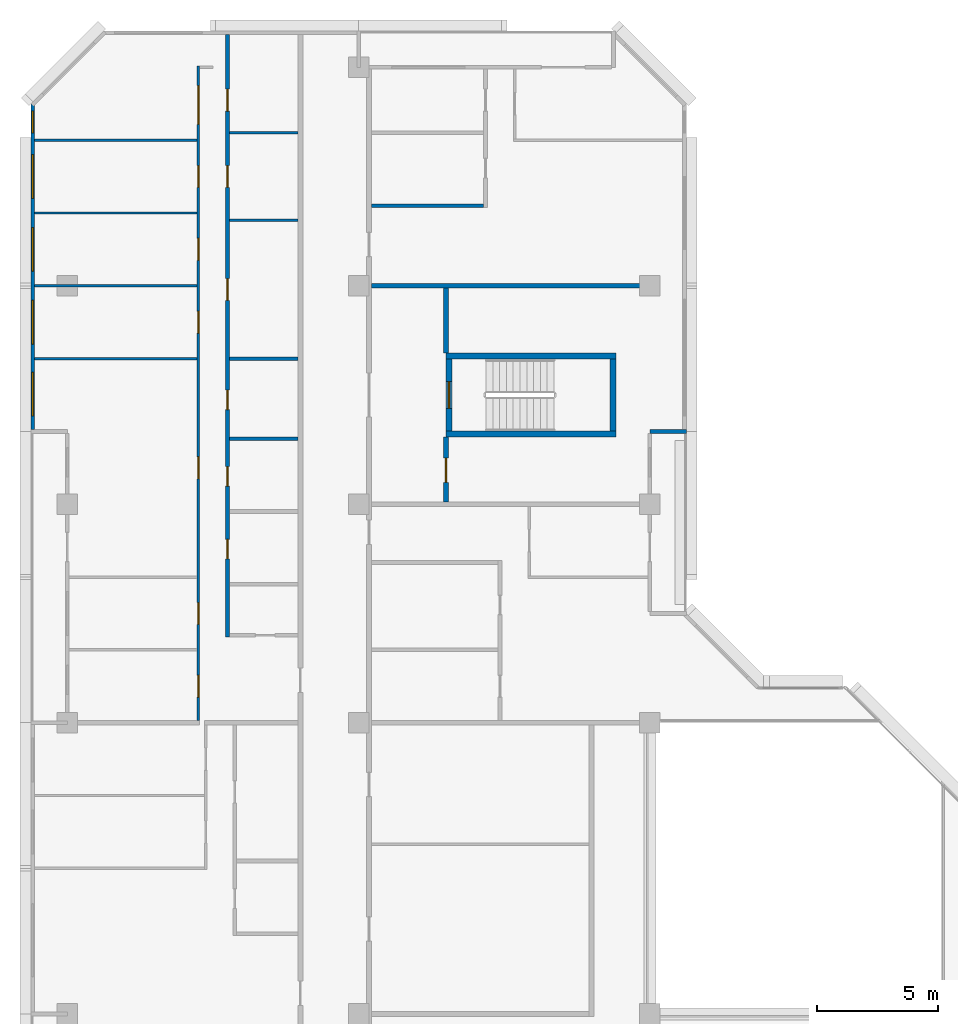
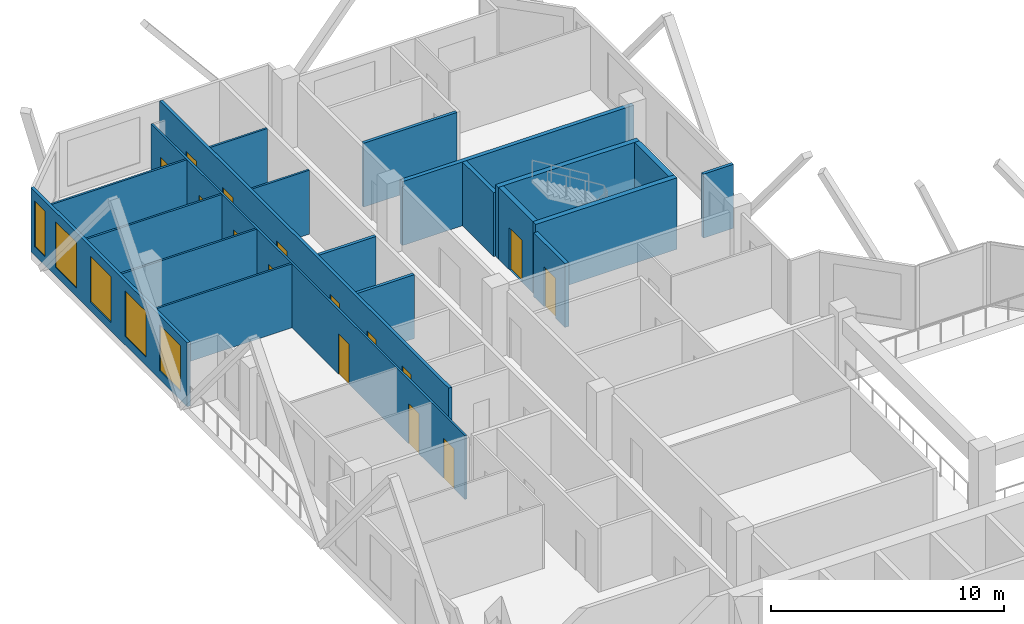
# One storey, part 10 of 15: 20 walls, 15 doors, 5 windows, 20 openings.
"""IFC4 building model written with IfcOpenShell, lengths in metres."""

from ifc_helpers import new_model, si_unit, direction, frame, frame_2d, origin, place, context, subcontext, project, spatial, rectangle, extrude, material, layer, layer_set, type_object, element, fill, save


model = new_model("IFC4")

# Units and contexts
model_context = context("Model", 3, precision=1e-05, world=origin(), true_north=direction((0.0, 1.0)))
body_context = subcontext(model_context, "Body", "Model", "MODEL_VIEW")
ifc_project = project(units=[si_unit("LENGTHUNIT", "METRE"), si_unit("AREAUNIT", "SQUARE_METRE"), si_unit("VOLUMEUNIT", "CUBIC_METRE"), si_unit("PLANEANGLEUNIT", "RADIAN"), si_unit("MASSUNIT", "GRAM", prefix="KILO")], contexts=[model_context])

# Site, building, storey
site_placement = place(None, origin())
site = spatial("IfcSite", under=ifc_project, at=site_placement, CompositionType="ELEMENT")
building_placement = place(site_placement, origin())
building = spatial("IfcBuilding", under=site, at=building_placement, Name="Chenar Terraces", CompositionType="ELEMENT")
storey_placement = place(building_placement, frame((0.0, 0.0, 211.64990234375)))
storey = spatial("IfcBuildingStorey", under=building, at=storey_placement, Name="L49", CompositionType="ELEMENT", Elevation=211.64990234375)

# Walls
ifc_material_1 = material(Name="Concrete C60/75", Category="concrete")
ifc_layer_1 = layer(ifc_material_1, 0.25)
ifc_layer_set_1 = layer_set([ifc_layer_1], Name="Concrete C60/75")
wall_type_1 = type_object("IfcWallType", Name="Core wall 250 Concrete C60/75", PredefinedType="SHEAR", material=ifc_layer_set_1)
for number, where, z_axis, x_axis, name in (
    (1, (15.60009765625, 47.89990234375, 0.0), (0.0, 0.0, 1.0), (1.0, 0.0, 0.0), "Core wall ST4_S L49"),
    (2, (15.60009765625, 51.10009765625, 0.0), (0.0, 0.0, 1.0), (1.0, 0.0, 0.0), "Core wall ST4_N L49"),
):
    element("IfcWall", number, at=place(storey_placement, frame(where, z_axis=z_axis, x_axis=x_axis)), inside=storey, type_object=wall_type_1, Name=name, PredefinedType="SHEAR", context=body_context, shape_type="SweptSolid", body=[
        extrude(rectangle(XDim=7.0, YDim=0.25, at=frame_2d((3.5, 0.0))), origin(), (0.0, 0.0, 1.0), 3.75),
    ])

# Wall, opening, door
wall_1_placement = place(storey_placement, frame((15.72509765625, 48.02490234375, 0.0), z_axis=(0.0, 0.0, 1.0), x_axis=(0.0, 1.0, 0.0)))
wall_1 = element("IfcWall", 3, at=wall_1_placement, inside=storey, type_object=wall_type_1, Name="Core wall ST4_W L49", PredefinedType="SHEAR", context=body_context, shape_type="SweptSolid", body=[
    extrude(rectangle(XDim=2.9501953125, YDim=0.25, at=frame_2d((1.47509765625, 0.0))), origin(), (0.0, 0.0, 1.0), 3.75),
])
opening_1_placement = place(wall_1_placement, frame((0.925048828125, 0.0, 0.0)))
opening_1 = element("IfcOpeningElement", 4, at=opening_1_placement, cuts=wall_1, Name="Opening DL49-C9", PredefinedType="OPENING", context=body_context, shape_type="SweptSolid", body=[
    extrude(rectangle(XDim=1.10009765625, YDim=2.199951171875, at=frame_2d((0.550048828125, 1.10009765625))), frame((0.0, 0.135009765625, 0.0), z_axis=(0.0, -1.0, 0.0), x_axis=(1.0, 0.0, 0.0)), (0.0, 0.0, 1.0), 0.27001953125),
])
ifc_material_2 = material(Name="Steel-framed fire-resisting door leaf", Category="steel")
door_type_1 = type_object("IfcDoorType", Name="Stair fire door FD60 1100 x 2200", OperationType="SINGLE_SWING_LEFT", PredefinedType="DOOR", material=ifc_material_2)
door_1_placement = place(opening_1_placement, frame((1.10009765625, 0.0, 0.0), z_axis=(0.0, 0.0, 1.0), x_axis=(-1.0, 0.0, 0.0)))
door_1 = element("IfcDoor", 5, at=door_1_placement, inside=storey, type_object=door_type_1, Name="Stair door DL49-C9", OperationType="SINGLE_SWING_RIGHT", OverallHeight=2.199951171875, OverallWidth=1.10009765625, PredefinedType="DOOR", context=body_context, shape_type="SweptSolid", body=[
    extrude(rectangle(XDim=1.10009765625, YDim=2.199951171875, at=frame_2d((0.550048828125, 1.10009765625))), frame((0.0, 0.02490234375, 0.0), z_axis=(0.0, -1.0, 0.0), x_axis=(1.0, 0.0, 0.0)), (0.0, 0.0, 1.0), 0.050048828125),
])
fill(opening_1, door_1)

# Wall
wall_2_placement = place(storey_placement, frame((22.47509765625, 48.02490234375, 0.0), z_axis=(0.0, 0.0, 1.0), x_axis=(0.0, 1.0, 0.0)))
element("IfcWall", 6, at=wall_2_placement, inside=storey, type_object=wall_type_1, Name="Core wall ST4_E L49", PredefinedType="SHEAR", context=body_context, shape_type="SweptSolid", body=[
    extrude(rectangle(XDim=2.9501953125, YDim=0.25, at=frame_2d((1.47509765625, 0.0))), origin(), (0.0, 0.0, 1.0), 3.75),
])

# Wall, opening, door
ifc_material_3 = material(Name="Gypsum board on steel studs with fire boards", Category="steel")
ifc_layer_2 = layer(ifc_material_3, 0.199951171875)
ifc_layer_set_2 = layer_set([ifc_layer_2], Name="Gypsum board on steel studs with fire boards")
wall_type_2 = type_object("IfcWallType", Name="Corridor wall 200", PredefinedType="PARTITIONING", material=ifc_layer_set_2)
wall_3_placement = place(storey_placement, frame((15.60009765625, 45.10009765625, 0.0), z_axis=(0.0, 0.0, 1.0), x_axis=(0.0, 1.0, 0.0)))
wall_3 = element("IfcWall", 7, at=wall_3_placement, inside=storey, type_object=wall_type_2, Name="Partition L49-044", PredefinedType="PARTITIONING", context=body_context, shape_type="SweptSolid", body=[
    extrude(rectangle(XDim=2.6748046875, YDim=0.199951171875, at=frame_2d((1.33740234375, 0.0))), origin(), (0.0, 0.0, 1.0), 3.35009765625),
])
opening_2_placement = place(wall_3_placement, frame((0.800048828125, 0.0, 0.0)))
opening_2 = element("IfcOpeningElement", 8, at=opening_2_placement, cuts=wall_3, Name="Opening DL49-43", PredefinedType="OPENING", context=body_context, shape_type="SweptSolid", body=[
    extrude(rectangle(XDim=1.0, YDim=2.10009765625, at=frame_2d((0.5, 1.050048828125))), frame((0.0, 0.10986328125, 0.0), z_axis=(0.0, -1.0, 0.0), x_axis=(1.0, 0.0, 0.0)), (0.0, 0.0, 1.0), 0.219970703125),
])
ifc_material_4 = material(Name="Steel-framed fire-resisting door leaf", Category="steel")
door_type_2 = type_object("IfcDoorType", Name="Fire door FD60 1000 x 2100", OperationType="SINGLE_SWING_LEFT", PredefinedType="DOOR", material=ifc_material_4)
door_2_placement = place(opening_2_placement, frame((1.0, 0.0, 0.0), z_axis=(0.0, 0.0, 1.0), x_axis=(-1.0, 0.0, 0.0)))
door_2 = element("IfcDoor", 9, at=door_2_placement, inside=storey, type_object=door_type_2, Name="Door DL49-43", OperationType="SINGLE_SWING_RIGHT", OverallHeight=2.10009765625, OverallWidth=1.0, PredefinedType="DOOR", context=body_context, shape_type="SweptSolid", body=[
    extrude(rectangle(XDim=1.0, YDim=2.10009765625, at=frame_2d((0.5, 1.050048828125))), frame((0.0, 0.02490234375, 0.0), z_axis=(0.0, -1.0, 0.0), x_axis=(1.0, 0.0, 0.0)), (0.0, 0.0, 1.0), 0.050048828125),
])
fill(opening_2, door_2)

# Wall
wall_4_placement = place(storey_placement, frame((15.60009765625, 51.22509765625, 0.0), z_axis=(0.0, 0.0, 1.0), x_axis=(0.0, 1.0, 0.0)))
element("IfcWall", 10, at=wall_4_placement, inside=storey, type_object=wall_type_2, Name="Partition L49-045", PredefinedType="PARTITIONING", context=body_context, shape_type="SweptSolid", body=[
    extrude(rectangle(XDim=2.6748046875, YDim=0.199951171875, at=frame_2d((1.33740234375, 0.0))), origin(), (0.0, 0.0, 1.0), 3.35009765625),
])

# Wall, openings, windows
ifc_material_5 = material(Name="Aluminium framed glazing", Category="aluminium")
ifc_layer_3 = layer(ifc_material_5, 0.14990234375)
ifc_layer_set_3 = layer_set([ifc_layer_3], Name="Aluminium framed glazing")
wall_type_3 = type_object("IfcWallType", Name="Glazed flush facade wall 150", PredefinedType="SOLIDWALL", material=ifc_layer_set_3)
wall_5_placement = place(storey_placement, frame((-1.425048828125, 61.5, 0.0), z_axis=(0.0, 0.0, 1.0), x_axis=(0.0, -1.0, 0.0)))
wall_5 = element("IfcWall", 11, at=wall_5_placement, inside=storey, type_object=wall_type_3, Name="Glazed flush facade wall", PredefinedType="SOLIDWALL", context=body_context, shape_type="SweptSolid", body=[
    extrude(rectangle(XDim=13.425048828125, YDim=0.14990234375, at=frame_2d((6.71240234375, 0.0))), origin(), (0.0, 0.0, 1.0), 3.35009765625),
])
opening_3_placement = place(wall_5_placement, frame((0.300048828125, 0.0, 0.449951171875)))
opening_3 = element("IfcOpeningElement", 12, at=opening_3_placement, cuts=wall_5, Name="Opening W90x240", PredefinedType="OPENING", context=body_context, shape_type="SweptSolid", body=[
    extrude(rectangle(XDim=0.89990234375, YDim=2.39990234375, at=frame_2d((0.449951171875, 1.199951171875))), frame((0.0, 0.0849609375, 0.0), z_axis=(0.0, -1.0, 0.0), x_axis=(1.0, 0.0, 0.0)), (0.0, 0.0, 1.0), 0.169921875),
])
opening_4_placement = place(wall_5_placement, frame((2.10009765625, 0.0, 0.449951171875)))
opening_4 = element("IfcOpeningElement", 13, at=opening_4_placement, cuts=wall_5, Name="Opening W180x240", PredefinedType="OPENING", context=body_context, shape_type="SweptSolid", body=[
    extrude(rectangle(XDim=1.800048828125, YDim=2.39990234375, at=frame_2d((0.89990234375, 1.199951171875))), frame((0.0, 0.0849609375, 0.0), z_axis=(0.0, -1.0, 0.0), x_axis=(1.0, 0.0, 0.0)), (0.0, 0.0, 1.0), 0.169921875),
])
opening_5_placement = place(wall_5_placement, frame((5.10009765625, 0.0, 0.449951171875)))
opening_5 = element("IfcOpeningElement", 14, at=opening_5_placement, cuts=wall_5, Name="Opening W180x240", PredefinedType="OPENING", context=body_context, shape_type="SweptSolid", body=[
    extrude(rectangle(XDim=1.800048828125, YDim=2.39990234375, at=frame_2d((0.89990234375, 1.199951171875))), frame((0.0, 0.0849609375, 0.0), z_axis=(0.0, -1.0, 0.0), x_axis=(1.0, 0.0, 0.0)), (0.0, 0.0, 1.0), 0.169921875),
])
opening_6_placement = place(wall_5_placement, frame((8.10009765625, 0.0, 0.449951171875)))
opening_6 = element("IfcOpeningElement", 15, at=opening_6_placement, cuts=wall_5, Name="Opening W180x240", PredefinedType="OPENING", context=body_context, shape_type="SweptSolid", body=[
    extrude(rectangle(XDim=1.800048828125, YDim=2.39990234375, at=frame_2d((0.89990234375, 1.199951171875))), frame((0.0, 0.0849609375, 0.0), z_axis=(0.0, -1.0, 0.0), x_axis=(1.0, 0.0, 0.0)), (0.0, 0.0, 1.0), 0.169921875),
])
opening_7_placement = place(wall_5_placement, frame((11.0625, 0.0, 0.449951171875)))
opening_7 = element("IfcOpeningElement", 16, at=opening_7_placement, cuts=wall_5, Name="Opening W180x240", PredefinedType="OPENING", context=body_context, shape_type="SweptSolid", body=[
    extrude(rectangle(XDim=1.800048828125, YDim=2.39990234375, at=frame_2d((0.89990234375, 1.199951171875))), frame((0.0, 0.0849609375, 0.0), z_axis=(0.0, -1.0, 0.0), x_axis=(1.0, 0.0, 0.0)), (0.0, 0.0, 1.0), 0.169921875),
])
ifc_material_6 = material(Name="Low emissivity double glazing, aluminium frame", Category="aluminium")
window_type_1 = type_object("IfcWindowType", Name="Fixed light 1800 x 2400", PartitioningType="SINGLE_PANEL", PredefinedType="WINDOW", material=ifc_material_6)
window_1_placement = place(opening_4_placement, origin())
window_1 = element("IfcWindow", 17, at=window_1_placement, inside=storey, type_object=window_type_1, Name="Window", OverallHeight=2.39990234375, OverallWidth=1.800048828125, PartitioningType="SINGLE_PANEL", PredefinedType="WINDOW", context=body_context, shape_type="SweptSolid", body=[
    extrude(rectangle(XDim=1.800048828125, YDim=2.39990234375, at=frame_2d((0.89990234375, 1.199951171875))), frame((0.0, 0.030029296875, 0.0), z_axis=(0.0, -1.0, 0.0), x_axis=(1.0, 0.0, 0.0)), (0.0, 0.0, 1.0), 0.06005859375),
])
fill(opening_4, window_1)
window_2_placement = place(opening_5_placement, origin())
window_2 = element("IfcWindow", 18, at=window_2_placement, inside=storey, type_object=window_type_1, Name="Window", OverallHeight=2.39990234375, OverallWidth=1.800048828125, PartitioningType="SINGLE_PANEL", PredefinedType="WINDOW", context=body_context, shape_type="SweptSolid", body=[
    extrude(rectangle(XDim=1.800048828125, YDim=2.39990234375, at=frame_2d((0.89990234375, 1.199951171875))), frame((0.0, 0.030029296875, 0.0), z_axis=(0.0, -1.0, 0.0), x_axis=(1.0, 0.0, 0.0)), (0.0, 0.0, 1.0), 0.06005859375),
])
fill(opening_5, window_2)
window_3_placement = place(opening_6_placement, origin())
window_3 = element("IfcWindow", 19, at=window_3_placement, inside=storey, type_object=window_type_1, Name="Window", OverallHeight=2.39990234375, OverallWidth=1.800048828125, PartitioningType="SINGLE_PANEL", PredefinedType="WINDOW", context=body_context, shape_type="SweptSolid", body=[
    extrude(rectangle(XDim=1.800048828125, YDim=2.39990234375, at=frame_2d((0.89990234375, 1.199951171875))), frame((0.0, 0.030029296875, 0.0), z_axis=(0.0, -1.0, 0.0), x_axis=(1.0, 0.0, 0.0)), (0.0, 0.0, 1.0), 0.06005859375),
])
fill(opening_6, window_3)
window_4_placement = place(opening_7_placement, origin())
window_4 = element("IfcWindow", 20, at=window_4_placement, inside=storey, type_object=window_type_1, Name="Window", OverallHeight=2.39990234375, OverallWidth=1.800048828125, PartitioningType="SINGLE_PANEL", PredefinedType="WINDOW", context=body_context, shape_type="SweptSolid", body=[
    extrude(rectangle(XDim=1.800048828125, YDim=2.39990234375, at=frame_2d((0.89990234375, 1.199951171875))), frame((0.0, 0.030029296875, 0.0), z_axis=(0.0, -1.0, 0.0), x_axis=(1.0, 0.0, 0.0)), (0.0, 0.0, 1.0), 0.06005859375),
])
fill(opening_7, window_4)
ifc_material_7 = material(Name="Low emissivity double glazing, aluminium frame", Category="aluminium")
window_type_2 = type_object("IfcWindowType", Name="Fixed light 900 x 2400", PartitioningType="SINGLE_PANEL", PredefinedType="WINDOW", material=ifc_material_7)
window_5_placement = place(opening_3_placement, origin())
window_5 = element("IfcWindow", 21, at=window_5_placement, inside=storey, type_object=window_type_2, Name="Window", OverallHeight=2.39990234375, OverallWidth=0.89990234375, PartitioningType="SINGLE_PANEL", PredefinedType="WINDOW", context=body_context, shape_type="SweptSolid", body=[
    extrude(rectangle(XDim=0.89990234375, YDim=2.39990234375, at=frame_2d((0.449951171875, 1.199951171875))), frame((0.0, 0.030029296875, 0.0), z_axis=(0.0, -1.0, 0.0), x_axis=(1.0, 0.0, 0.0)), (0.0, 0.0, 1.0), 0.06005859375),
])
fill(opening_3, window_5)

# Walls
ifc_material_8 = material(Name="Gypsum board on steel studs", Category="steel")
ifc_layer_4 = layer(ifc_material_8, 0.10009765625)
ifc_layer_set_4 = layer_set([ifc_layer_4], Name="Gypsum board on steel studs")
wall_type_4 = type_object("IfcWallType", Name="Gypsum partition 100", PredefinedType="PARTITIONING", material=ifc_layer_set_4)
for number, where, z_axis, x_axis, name in (
    (22, (-1.35107421875, 54.0, 0.0), (0.0, 0.0, 1.0), (1.0, 0.0, 0.0), "Partition L49-002"),
    (23, (-1.35107421875, 57.0, 0.0), (0.0, 0.0, 1.0), (1.0, 0.0, 0.0), "Partition L49-003"),
    (24, (-1.35107421875, 60.0, 0.0), (0.0, 0.0, 1.0), (1.0, 0.0, 0.0), "Partition L49-004"),
):
    element("IfcWall", number, at=place(storey_placement, frame(where, z_axis=z_axis, x_axis=x_axis)), inside=storey, type_object=wall_type_4, Name=name, PredefinedType="PARTITIONING", context=body_context, shape_type="SweptSolid", body=[
        extrude(rectangle(XDim=6.701171875, YDim=0.10009765625, at=frame_2d((3.3505859375, 0.0))), origin(), (0.0, 0.0, 1.0), 3.35009765625),
    ])
wall_6_placement = place(storey_placement, frame((-1.35009765625, 51.0, 0.0), z_axis=(0.0, 0.0, 1.0), x_axis=(1.0, 0.0, 0.0)))
element("IfcWall", 25, at=wall_6_placement, inside=storey, type_object=wall_type_4, Name="Partition L49-007", PredefinedType="PARTITIONING", context=body_context, shape_type="SweptSolid", body=[
    extrude(rectangle(XDim=6.7001953125, YDim=0.10009765625, at=frame_2d((3.35009765625, 0.0))), origin(), (0.0, 0.0, 1.0), 3.35009765625),
])

# Wall, openings, doors
wall_7_placement = place(storey_placement, frame((5.39990234375, 36.10009765625, 0.0), z_axis=(0.0, 0.0, 1.0), x_axis=(0.0, 1.0, 0.0)))
wall_7 = element("IfcWall", 26, at=wall_7_placement, inside=storey, type_object=wall_type_4, Name="Partition L49-013", PredefinedType="PARTITIONING", context=body_context, shape_type="SweptSolid", body=[
    extrude(rectangle(XDim=26.949951171875, YDim=0.10009765625, at=frame_2d((13.47509765625, 0.0))), origin(), (0.0, 0.0, 1.0), 3.35009765625),
])
opening_8_placement = place(wall_7_placement, frame((0.949951171875, 0.0, 0.0)))
opening_8 = element("IfcOpeningElement", 27, at=opening_8_placement, cuts=wall_7, Name="Opening DL49-24", PredefinedType="OPENING", context=body_context, shape_type="SweptSolid", body=[
    extrude(rectangle(XDim=0.89990234375, YDim=2.10009765625, at=frame_2d((0.449951171875, 1.050048828125))), frame((0.0, 0.06005859375, 0.0), z_axis=(0.0, -1.0, 0.0), x_axis=(1.0, 0.0, 0.0)), (0.0, 0.0, 1.0), 0.1201171875),
])
opening_9_placement = place(wall_7_placement, frame((3.949951171875, 0.0, 0.0)))
opening_9 = element("IfcOpeningElement", 28, at=opening_9_placement, cuts=wall_7, Name="Opening DL49-25", PredefinedType="OPENING", context=body_context, shape_type="SweptSolid", body=[
    extrude(rectangle(XDim=0.89990234375, YDim=2.10009765625, at=frame_2d((0.449951171875, 1.050048828125))), frame((0.0, 0.06005859375, 0.0), z_axis=(0.0, -1.0, 0.0), x_axis=(1.0, 0.0, 0.0)), (0.0, 0.0, 1.0), 0.1201171875),
])
opening_10_placement = place(wall_7_placement, frame((15.949951171875, 0.0, 0.0)))
opening_10 = element("IfcOpeningElement", 29, at=opening_10_placement, cuts=wall_7, Name="Opening DL49-26", PredefinedType="OPENING", context=body_context, shape_type="SweptSolid", body=[
    extrude(rectangle(XDim=0.89990234375, YDim=2.10009765625, at=frame_2d((0.449951171875, 1.050048828125))), frame((0.0, 0.06005859375, 0.0), z_axis=(0.0, -1.0, 0.0), x_axis=(1.0, 0.0, 0.0)), (0.0, 0.0, 1.0), 0.1201171875),
])
opening_11_placement = place(wall_7_placement, frame((18.949951171875, 0.0, 0.0)))
opening_11 = element("IfcOpeningElement", 30, at=opening_11_placement, cuts=wall_7, Name="Opening DL49-27", PredefinedType="OPENING", context=body_context, shape_type="SweptSolid", body=[
    extrude(rectangle(XDim=0.89990234375, YDim=2.10009765625, at=frame_2d((0.449951171875, 1.050048828125))), frame((0.0, 0.06005859375, 0.0), z_axis=(0.0, -1.0, 0.0), x_axis=(1.0, 0.0, 0.0)), (0.0, 0.0, 1.0), 0.1201171875),
])
opening_12_placement = place(wall_7_placement, frame((21.949951171875, 0.0, 0.0)))
opening_12 = element("IfcOpeningElement", 31, at=opening_12_placement, cuts=wall_7, Name="Opening DL49-28", PredefinedType="OPENING", context=body_context, shape_type="SweptSolid", body=[
    extrude(rectangle(XDim=0.89990234375, YDim=2.10009765625, at=frame_2d((0.449951171875, 1.050048828125))), frame((0.0, 0.06005859375, 0.0), z_axis=(0.0, -1.0, 0.0), x_axis=(1.0, 0.0, 0.0)), (0.0, 0.0, 1.0), 0.1201171875),
])
opening_13_placement = place(wall_7_placement, frame((9.949951171875, 0.0, 0.0)))
opening_13 = element("IfcOpeningElement", 32, at=opening_13_placement, cuts=wall_7, Name="Opening DL49-32", PredefinedType="OPENING", context=body_context, shape_type="SweptSolid", body=[
    extrude(rectangle(XDim=0.89990234375, YDim=2.10009765625, at=frame_2d((0.449951171875, 1.050048828125))), frame((0.0, 0.06005859375, 0.0), z_axis=(0.0, -1.0, 0.0), x_axis=(1.0, 0.0, 0.0)), (0.0, 0.0, 1.0), 0.1201171875),
])
opening_14_placement = place(wall_7_placement, frame((24.550048828125, 0.0, 0.0)))
opening_14 = element("IfcOpeningElement", 33, at=opening_14_placement, cuts=wall_7, Name="Opening DL49-33", PredefinedType="OPENING", context=body_context, shape_type="SweptSolid", body=[
    extrude(rectangle(XDim=1.60009765625, YDim=2.10009765625, at=frame_2d((0.800048828125, 1.050048828125))), frame((0.0, 0.06005859375, 0.0), z_axis=(0.0, -1.0, 0.0), x_axis=(1.0, 0.0, 0.0)), (0.0, 0.0, 1.0), 0.1201171875),
])
ifc_material_9 = material(Name="Veneered timber door leaf", Category="wood")
door_type_3 = type_object("IfcDoorType", Name="Door 900 x 2100", OperationType="SINGLE_SWING_LEFT", PredefinedType="DOOR", material=ifc_material_9)
door_3_placement = place(opening_8_placement, origin())
door_3 = element("IfcDoor", 34, at=door_3_placement, inside=storey, type_object=door_type_3, Name="Door DL49-24", OperationType="SINGLE_SWING_RIGHT", OverallHeight=2.10009765625, OverallWidth=0.89990234375, PredefinedType="DOOR", context=body_context, shape_type="SweptSolid", body=[
    extrude(rectangle(XDim=0.89990234375, YDim=2.10009765625, at=frame_2d((0.449951171875, 1.050048828125))), frame((0.0, 0.02490234375, 0.0), z_axis=(0.0, -1.0, 0.0), x_axis=(1.0, 0.0, 0.0)), (0.0, 0.0, 1.0), 0.050048828125),
])
fill(opening_8, door_3)
door_4_placement = place(opening_9_placement, origin())
door_4 = element("IfcDoor", 35, at=door_4_placement, inside=storey, type_object=door_type_3, Name="Door DL49-25", OperationType="SINGLE_SWING_RIGHT", OverallHeight=2.10009765625, OverallWidth=0.89990234375, PredefinedType="DOOR", context=body_context, shape_type="SweptSolid", body=[
    extrude(rectangle(XDim=0.89990234375, YDim=2.10009765625, at=frame_2d((0.449951171875, 1.050048828125))), frame((0.0, 0.02490234375, 0.0), z_axis=(0.0, -1.0, 0.0), x_axis=(1.0, 0.0, 0.0)), (0.0, 0.0, 1.0), 0.050048828125),
])
fill(opening_9, door_4)
door_5_placement = place(opening_10_placement, origin())
door_5 = element("IfcDoor", 36, at=door_5_placement, inside=storey, type_object=door_type_3, Name="Door DL49-26", OperationType="SINGLE_SWING_RIGHT", OverallHeight=2.10009765625, OverallWidth=0.89990234375, PredefinedType="DOOR", context=body_context, shape_type="SweptSolid", body=[
    extrude(rectangle(XDim=0.89990234375, YDim=2.10009765625, at=frame_2d((0.449951171875, 1.050048828125))), frame((0.0, 0.02490234375, 0.0), z_axis=(0.0, -1.0, 0.0), x_axis=(1.0, 0.0, 0.0)), (0.0, 0.0, 1.0), 0.050048828125),
])
fill(opening_10, door_5)
door_6_placement = place(opening_11_placement, origin())
door_6 = element("IfcDoor", 37, at=door_6_placement, inside=storey, type_object=door_type_3, Name="Door DL49-27", OperationType="SINGLE_SWING_RIGHT", OverallHeight=2.10009765625, OverallWidth=0.89990234375, PredefinedType="DOOR", context=body_context, shape_type="SweptSolid", body=[
    extrude(rectangle(XDim=0.89990234375, YDim=2.10009765625, at=frame_2d((0.449951171875, 1.050048828125))), frame((0.0, 0.02490234375, 0.0), z_axis=(0.0, -1.0, 0.0), x_axis=(1.0, 0.0, 0.0)), (0.0, 0.0, 1.0), 0.050048828125),
])
fill(opening_11, door_6)
door_7_placement = place(opening_12_placement, origin())
door_7 = element("IfcDoor", 38, at=door_7_placement, inside=storey, type_object=door_type_3, Name="Door DL49-28", OperationType="SINGLE_SWING_RIGHT", OverallHeight=2.10009765625, OverallWidth=0.89990234375, PredefinedType="DOOR", context=body_context, shape_type="SweptSolid", body=[
    extrude(rectangle(XDim=0.89990234375, YDim=2.10009765625, at=frame_2d((0.449951171875, 1.050048828125))), frame((0.0, 0.02490234375, 0.0), z_axis=(0.0, -1.0, 0.0), x_axis=(1.0, 0.0, 0.0)), (0.0, 0.0, 1.0), 0.050048828125),
])
fill(opening_12, door_7)
door_8_placement = place(opening_13_placement, frame((0.89990234375, 0.0, 0.0), z_axis=(0.0, 0.0, 1.0), x_axis=(-1.0, 0.0, 0.0)))
door_8 = element("IfcDoor", 39, at=door_8_placement, inside=storey, type_object=door_type_3, Name="Door DL49-32", OperationType="SINGLE_SWING_LEFT", OverallHeight=2.10009765625, OverallWidth=0.89990234375, PredefinedType="DOOR", context=body_context, shape_type="SweptSolid", body=[
    extrude(rectangle(XDim=0.89990234375, YDim=2.10009765625, at=frame_2d((0.449951171875, 1.050048828125))), frame((0.0, 0.02490234375, 0.0), z_axis=(0.0, -1.0, 0.0), x_axis=(1.0, 0.0, 0.0)), (0.0, 0.0, 1.0), 0.050048828125),
])
fill(opening_13, door_8)
ifc_material_10 = material(Name="Veneered timber door leaf", Category="wood")
door_type_4 = type_object("IfcDoorType", Name="Double door 1600 x 2100", OperationType="DOUBLE_DOOR_SINGLE_SWING", PredefinedType="DOOR", material=ifc_material_10)
door_9_placement = place(opening_14_placement, origin())
door_9 = element("IfcDoor", 40, at=door_9_placement, inside=storey, type_object=door_type_4, Name="Door DL49-33", OperationType="DOUBLE_DOOR_SINGLE_SWING", OverallHeight=2.10009765625, OverallWidth=1.60009765625, PredefinedType="DOOR", context=body_context, shape_type="SweptSolid", body=[
    extrude(rectangle(XDim=1.60009765625, YDim=2.10009765625, at=frame_2d((0.800048828125, 1.050048828125))), frame((0.0, 0.02490234375, 0.0), z_axis=(0.0, -1.0, 0.0), x_axis=(1.0, 0.0, 0.0)), (0.0, 0.0, 1.0), 0.050048828125),
])
fill(opening_14, door_9)

# Walls
for number, where, z_axis, x_axis, name in (
    (41, (6.675048828125, 56.699951171875, 0.0), (0.0, 0.0, 1.0), (1.0, 0.0, 0.0), "Partition L49-023"),
    (42, (6.675048828125, 60.300048828125, 0.0), (0.0, 0.0, 1.0), (1.0, 0.0, 0.0), "Partition L49-024"),
):
    element("IfcWall", number, at=place(storey_placement, frame(where, z_axis=z_axis, x_axis=x_axis)), inside=storey, type_object=wall_type_4, Name=name, PredefinedType="PARTITIONING", context=body_context, shape_type="SweptSolid", body=[
        extrude(rectangle(XDim=2.824951171875, YDim=0.10009765625, at=frame_2d((1.41259765625, 0.0))), origin(), (0.0, 0.0, 1.0), 3.35009765625),
    ])
ifc_material_11 = material(Name="Terracotta cladding on insulated backing", Category="masonry")
ifc_layer_5 = layer(ifc_material_11, 0.14990234375)
ifc_layer_set_5 = layer_set([ifc_layer_5], Name="Terracotta cladding on insulated backing")
wall_type_5 = type_object("IfcWallType", Name="Loggia return wall 150", PredefinedType="SOLIDWALL", material=ifc_layer_set_5)
wall_8_placement = place(storey_placement, frame((25.5, 48.0, 0.0), z_axis=(0.0, 0.0, 1.0), x_axis=(-1.0, 0.0, 0.0)))
element("IfcWall", 43, at=wall_8_placement, inside=storey, type_object=wall_type_5, Name="Loggia return wall", PredefinedType="SOLIDWALL", context=body_context, shape_type="SweptSolid", body=[
    extrude(rectangle(XDim=1.5, YDim=0.14990234375, at=frame_2d((0.75, 0.0))), origin(), (0.0, 0.0, 1.0), 3.35009765625),
])
ifc_material_12 = material(Name="Twin gypsum board on steel studs with mineral wool", Category="steel")
ifc_layer_6 = layer(ifc_material_12, 0.199951171875)
ifc_layer_set_6 = layer_set([ifc_layer_6], Name="Twin gypsum board on steel studs with mineral wool")
wall_type_6 = type_object("IfcWallType", Name="Unit demising wall 200", PredefinedType="PARTITIONING", material=ifc_layer_set_6)
wall_9_placement = place(storey_placement, frame((12.52490234375, 54.0, 0.0), z_axis=(0.0, 0.0, 1.0), x_axis=(1.0, 0.0, 0.0)))
element("IfcWall", 44, at=wall_9_placement, inside=storey, type_object=wall_type_6, Name="Partition L49-040", PredefinedType="PARTITIONING", context=body_context, shape_type="SweptSolid", body=[
    extrude(rectangle(XDim=11.47509765625, YDim=0.199951171875, at=frame_2d((5.737548828125, 0.0))), origin(), (0.0, 0.0, 1.0), 3.35009765625),
])

# Wall, openings, doors
ifc_material_13 = material(Name="Moisture-resistant gypsum board on steel studs", Category="steel")
ifc_layer_7 = layer(ifc_material_13, 0.14990234375)
ifc_layer_set_7 = layer_set([ifc_layer_7], Name="Moisture-resistant gypsum board on steel studs")
wall_type_7 = type_object("IfcWallType", Name="Wet-room partition 150", PredefinedType="PARTITIONING", material=ifc_layer_set_7)
wall_10_placement = place(storey_placement, frame((6.60009765625, 39.52490234375, 0.0), z_axis=(0.0, 0.0, 1.0), x_axis=(0.0, 1.0, 0.0)))
wall_10 = element("IfcWall", 45, at=wall_10_placement, inside=storey, type_object=wall_type_7, Name="Partition L49-017", PredefinedType="PARTITIONING", context=body_context, shape_type="SweptSolid", body=[
    extrude(rectangle(XDim=24.8251953125, YDim=0.14990234375, at=frame_2d((12.41259765625, 0.0))), origin(), (0.0, 0.0, 1.0), 3.35009765625),
])
opening_15_placement = place(wall_10_placement, frame((3.22509765625, 0.0, 0.0)))
opening_15 = element("IfcOpeningElement", 46, at=opening_15_placement, cuts=wall_10, Name="Opening DL49-23", PredefinedType="OPENING", context=body_context, shape_type="SweptSolid", body=[
    extrude(rectangle(XDim=0.800048828125, YDim=2.10009765625, at=frame_2d((0.39990234375, 1.050048828125))), frame((0.0, 0.0849609375, 0.0), z_axis=(0.0, -1.0, 0.0), x_axis=(1.0, 0.0, 0.0)), (0.0, 0.0, 1.0), 0.169921875),
])
opening_16_placement = place(wall_10_placement, frame((13.875, 0.0, 0.0)))
opening_16 = element("IfcOpeningElement", 47, at=opening_16_placement, cuts=wall_10, Name="Opening DL49-30", PredefinedType="OPENING", context=body_context, shape_type="SweptSolid", body=[
    extrude(rectangle(XDim=0.89990234375, YDim=2.10009765625, at=frame_2d((0.449951171875, 1.050048828125))), frame((0.0, 0.0849609375, 0.0), z_axis=(0.0, -1.0, 0.0), x_axis=(1.0, 0.0, 0.0)), (0.0, 0.0, 1.0), 0.169921875),
])
opening_17_placement = place(wall_10_placement, frame((6.22509765625, 0.0, 0.0)))
opening_17 = element("IfcOpeningElement", 48, at=opening_17_placement, cuts=wall_10, Name="Opening DL49-31", PredefinedType="OPENING", context=body_context, shape_type="SweptSolid", body=[
    extrude(rectangle(XDim=0.800048828125, YDim=2.10009765625, at=frame_2d((0.39990234375, 1.050048828125))), frame((0.0, 0.0849609375, 0.0), z_axis=(0.0, -1.0, 0.0), x_axis=(1.0, 0.0, 0.0)), (0.0, 0.0, 1.0), 0.169921875),
])
opening_18_placement = place(wall_10_placement, frame((18.52490234375, 0.0, 0.0)))
opening_18 = element("IfcOpeningElement", 49, at=opening_18_placement, cuts=wall_10, Name="Opening DL49-34", PredefinedType="OPENING", context=body_context, shape_type="SweptSolid", body=[
    extrude(rectangle(XDim=0.89990234375, YDim=2.10009765625, at=frame_2d((0.449951171875, 1.050048828125))), frame((0.0, 0.0849609375, 0.0), z_axis=(0.0, -1.0, 0.0), x_axis=(1.0, 0.0, 0.0)), (0.0, 0.0, 1.0), 0.169921875),
])
opening_19_placement = place(wall_10_placement, frame((21.675048828125, 0.0, 0.0)))
opening_19 = element("IfcOpeningElement", 50, at=opening_19_placement, cuts=wall_10, Name="Opening DL49-35", PredefinedType="OPENING", context=body_context, shape_type="SweptSolid", body=[
    extrude(rectangle(XDim=0.89990234375, YDim=2.10009765625, at=frame_2d((0.449951171875, 1.050048828125))), frame((0.0, 0.0849609375, 0.0), z_axis=(0.0, -1.0, 0.0), x_axis=(1.0, 0.0, 0.0)), (0.0, 0.0, 1.0), 0.169921875),
])
opening_20_placement = place(wall_10_placement, frame((9.375, 0.0, 0.0)))
opening_20 = element("IfcOpeningElement", 51, at=opening_20_placement, cuts=wall_10, Name="Opening DL49-37", PredefinedType="OPENING", context=body_context, shape_type="SweptSolid", body=[
    extrude(rectangle(XDim=0.800048828125, YDim=2.10009765625, at=frame_2d((0.39990234375, 1.050048828125))), frame((0.0, 0.0849609375, 0.0), z_axis=(0.0, -1.0, 0.0), x_axis=(1.0, 0.0, 0.0)), (0.0, 0.0, 1.0), 0.169921875),
])
ifc_material_14 = material(Name="Veneered timber door leaf", Category="wood")
door_type_5 = type_object("IfcDoorType", Name="Door 800 x 2100", OperationType="SINGLE_SWING_LEFT", PredefinedType="DOOR", material=ifc_material_14)
door_10_placement = place(opening_15_placement, frame((0.800048828125, 0.0, 0.0), z_axis=(0.0, 0.0, 1.0), x_axis=(-1.0, 0.0, 0.0)))
door_10 = element("IfcDoor", 52, at=door_10_placement, inside=storey, type_object=door_type_5, Name="Door DL49-23", OperationType="SINGLE_SWING_RIGHT", OverallHeight=2.10009765625, OverallWidth=0.800048828125, PredefinedType="DOOR", context=body_context, shape_type="SweptSolid", body=[
    extrude(rectangle(XDim=0.800048828125, YDim=2.10009765625, at=frame_2d((0.39990234375, 1.050048828125))), frame((0.0, 0.02490234375, 0.0), z_axis=(0.0, -1.0, 0.0), x_axis=(1.0, 0.0, 0.0)), (0.0, 0.0, 1.0), 0.050048828125),
])
fill(opening_15, door_10)
door_11_placement = place(opening_17_placement, frame((0.800048828125, 0.0, 0.0), z_axis=(0.0, 0.0, 1.0), x_axis=(-1.0, 0.0, 0.0)))
door_11 = element("IfcDoor", 53, at=door_11_placement, inside=storey, type_object=door_type_5, Name="Door DL49-31", OperationType="SINGLE_SWING_RIGHT", OverallHeight=2.10009765625, OverallWidth=0.800048828125, PredefinedType="DOOR", context=body_context, shape_type="SweptSolid", body=[
    extrude(rectangle(XDim=0.800048828125, YDim=2.10009765625, at=frame_2d((0.39990234375, 1.050048828125))), frame((0.0, 0.02490234375, 0.0), z_axis=(0.0, -1.0, 0.0), x_axis=(1.0, 0.0, 0.0)), (0.0, 0.0, 1.0), 0.050048828125),
])
fill(opening_17, door_11)
door_12_placement = place(opening_20_placement, frame((0.800048828125, 0.0, 0.0), z_axis=(0.0, 0.0, 1.0), x_axis=(-1.0, 0.0, 0.0)))
door_12 = element("IfcDoor", 54, at=door_12_placement, inside=storey, type_object=door_type_5, Name="Door DL49-37", OperationType="SINGLE_SWING_RIGHT", OverallHeight=2.10009765625, OverallWidth=0.800048828125, PredefinedType="DOOR", context=body_context, shape_type="SweptSolid", body=[
    extrude(rectangle(XDim=0.800048828125, YDim=2.10009765625, at=frame_2d((0.39990234375, 1.050048828125))), frame((0.0, 0.02490234375, 0.0), z_axis=(0.0, -1.0, 0.0), x_axis=(1.0, 0.0, 0.0)), (0.0, 0.0, 1.0), 0.050048828125),
])
fill(opening_20, door_12)
door_13_placement = place(opening_16_placement, frame((0.89990234375, 0.0, 0.0), z_axis=(0.0, 0.0, 1.0), x_axis=(-1.0, 0.0, 0.0)))
door_13 = element("IfcDoor", 55, at=door_13_placement, inside=storey, type_object=door_type_3, Name="Door DL49-30", OperationType="SINGLE_SWING_RIGHT", OverallHeight=2.10009765625, OverallWidth=0.89990234375, PredefinedType="DOOR", context=body_context, shape_type="SweptSolid", body=[
    extrude(rectangle(XDim=0.89990234375, YDim=2.10009765625, at=frame_2d((0.449951171875, 1.050048828125))), frame((0.0, 0.02490234375, 0.0), z_axis=(0.0, -1.0, 0.0), x_axis=(1.0, 0.0, 0.0)), (0.0, 0.0, 1.0), 0.050048828125),
])
fill(opening_16, door_13)
door_14_placement = place(opening_18_placement, frame((0.89990234375, 0.0, 0.0), z_axis=(0.0, 0.0, 1.0), x_axis=(-1.0, 0.0, 0.0)))
door_14 = element("IfcDoor", 56, at=door_14_placement, inside=storey, type_object=door_type_3, Name="Door DL49-34", OperationType="SINGLE_SWING_RIGHT", OverallHeight=2.10009765625, OverallWidth=0.89990234375, PredefinedType="DOOR", context=body_context, shape_type="SweptSolid", body=[
    extrude(rectangle(XDim=0.89990234375, YDim=2.10009765625, at=frame_2d((0.449951171875, 1.050048828125))), frame((0.0, 0.02490234375, 0.0), z_axis=(0.0, -1.0, 0.0), x_axis=(1.0, 0.0, 0.0)), (0.0, 0.0, 1.0), 0.050048828125),
])
fill(opening_18, door_14)
door_15_placement = place(opening_19_placement, frame((0.89990234375, 0.0, 0.0), z_axis=(0.0, 0.0, 1.0), x_axis=(-1.0, 0.0, 0.0)))
door_15 = element("IfcDoor", 57, at=door_15_placement, inside=storey, type_object=door_type_3, Name="Door DL49-35", OperationType="SINGLE_SWING_RIGHT", OverallHeight=2.10009765625, OverallWidth=0.89990234375, PredefinedType="DOOR", context=body_context, shape_type="SweptSolid", body=[
    extrude(rectangle(XDim=0.89990234375, YDim=2.10009765625, at=frame_2d((0.449951171875, 1.050048828125))), frame((0.0, 0.02490234375, 0.0), z_axis=(0.0, -1.0, 0.0), x_axis=(1.0, 0.0, 0.0)), (0.0, 0.0, 1.0), 0.050048828125),
])
fill(opening_19, door_15)

# Walls
for number, where, z_axis, x_axis, name in (
    (58, (6.675048828125, 47.699951171875, 0.0), (0.0, 0.0, 1.0), (1.0, 0.0, 0.0), "Partition L49-021"),
    (59, (6.675048828125, 51.0, 0.0), (0.0, 0.0, 1.0), (1.0, 0.0, 0.0), "Partition L49-022"),
):
    element("IfcWall", number, at=place(storey_placement, frame(where, z_axis=z_axis, x_axis=x_axis)), inside=storey, type_object=wall_type_7, Name=name, PredefinedType="PARTITIONING", context=body_context, shape_type="SweptSolid", body=[
        extrude(rectangle(XDim=2.824951171875, YDim=0.14990234375, at=frame_2d((1.41259765625, 0.0))), origin(), (0.0, 0.0, 1.0), 3.35009765625),
    ])
wall_11_placement = place(storey_placement, frame((12.52490234375, 57.300048828125, 0.0), z_axis=(0.0, 0.0, 1.0), x_axis=(1.0, 0.0, 0.0)))
element("IfcWall", 60, at=wall_11_placement, inside=storey, type_object=wall_type_7, Name="Partition L49-041", PredefinedType="PARTITIONING", context=body_context, shape_type="SweptSolid", body=[
    extrude(rectangle(XDim=4.625, YDim=0.14990234375, at=frame_2d((2.3125, 0.0))), origin(), (0.0, 0.0, 1.0), 3.35009765625),
])

save(model, "model.ifc")
